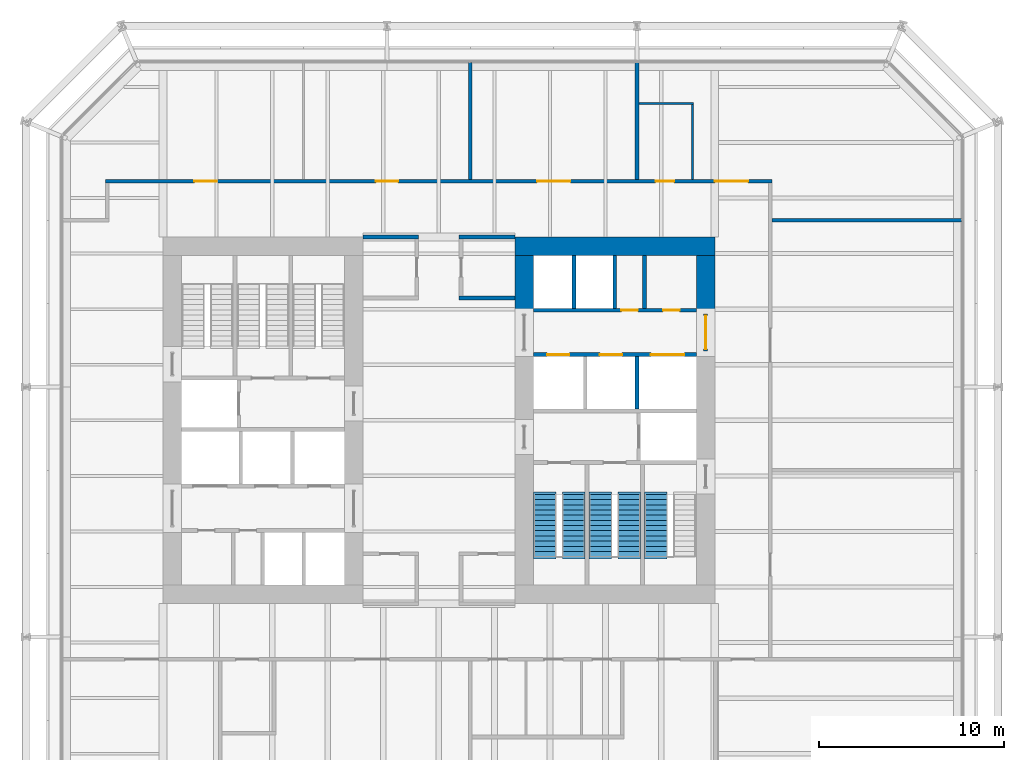
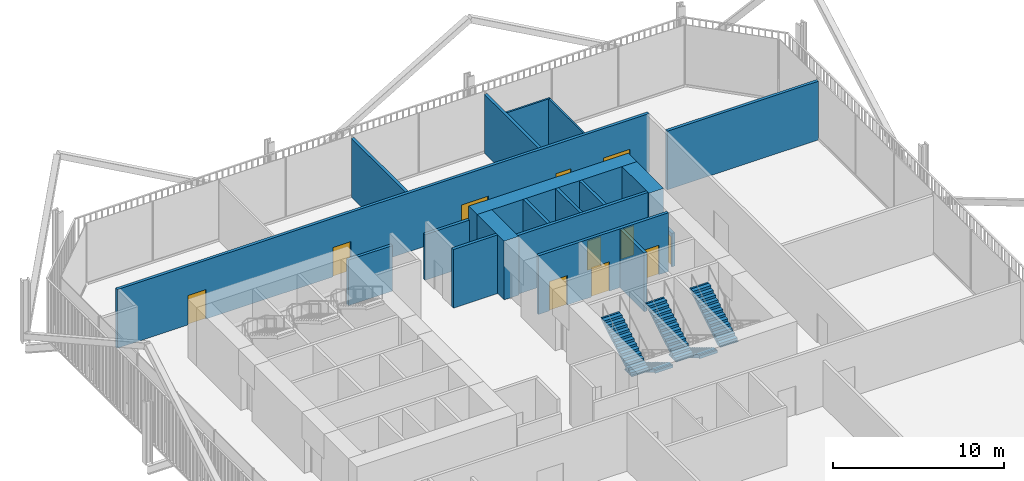
# One storey, part 19 of 21: 19 walls, 11 doors, 5 stair flights, 11 openings, 3 elements without a shape of their own.
"""IFC4 building model written with IfcOpenShell, lengths in metres."""

from ifc_helpers import new_model, si_unit, direction, frame, frame_2d, origin, place, context, subcontext, project, spatial, polyline, rectangle, outline, extrude, material, layer, layer_set, type_object, element, fill, aggregate, save


model = new_model("IFC4")

# Units and contexts
model_context = context("Model", 3, precision=1e-05, world=origin(), true_north=direction((0.0, 1.0)))
body_context = subcontext(model_context, "Body", "Model", "MODEL_VIEW")
ifc_project = project(units=[si_unit("LENGTHUNIT", "METRE"), si_unit("AREAUNIT", "SQUARE_METRE"), si_unit("VOLUMEUNIT", "CUBIC_METRE"), si_unit("PLANEANGLEUNIT", "RADIAN"), si_unit("MASSUNIT", "GRAM", prefix="KILO")], contexts=[model_context])

# Site, building, storey
site_placement = place(None, origin())
site = spatial("IfcSite", under=ifc_project, at=site_placement, CompositionType="ELEMENT")
building_placement = place(site_placement, origin())
building = spatial("IfcBuilding", under=site, at=building_placement, Name="Millrace Tower", CompositionType="ELEMENT")
storey_placement = place(building_placement, frame((0.0, 0.0, 82.0)))
storey = spatial("IfcBuildingStorey", under=building, at=storey_placement, Name="L18", CompositionType="ELEMENT", Elevation=82.0)

# Walls
ifc_material_1 = material(Name="Concrete C80", Category="concrete")
ifc_layer_1 = layer(ifc_material_1, 1.0)
ifc_layer_set_1 = layer_set([ifc_layer_1], Name="Concrete C80")
wall_type_1 = type_object("IfcWallType", Name="Core wall 1000 Concrete C80", PredefinedType="SHEAR", material=ifc_layer_set_1)
wall_1_placement = place(storey_placement, frame((14.89990234375, 9.39990234375, 0.0), z_axis=(0.0, 0.0, 1.0), x_axis=(-1.0, 0.0, 0.0)))
element("IfcWall", 1, at=wall_1_placement, inside=storey, type_object=wall_type_1, Name="Core wall E L18", PredefinedType="SHEAR", context=body_context, shape_type="SweptSolid", body=[
    extrude(rectangle(XDim=10.7998046875, YDim=1.0, at=frame_2d((5.39990234375, 0.0))), origin(), (0.0, 0.0, 1.0), 4.199951171875),
])
for number, where, z_axis, x_axis, name in (
    (2, (14.39990234375, 8.89990234375, 0.0), (0.0, 0.0, 1.0), (0.0, -1.0, 0.0), "Core wall E L18"),
    (3, (4.60009765625, 8.89990234375, 0.0), (0.0, 0.0, 1.0), (0.0, -1.0, 0.0), "Core wall E L18"),
):
    element("IfcWall", number, at=place(storey_placement, frame(where, z_axis=z_axis, x_axis=x_axis)), inside=storey, type_object=wall_type_1, Name=name, PredefinedType="SHEAR", context=body_context, shape_type="SweptSolid", body=[
        extrude(rectangle(XDim=3.14990234375, YDim=1.0, at=frame_2d((1.574951171875, 0.0))), origin(), (0.0, 0.0, 1.0), 4.199951171875),
    ])
ifc_material_2 = material(Name="Masonry partition, fire-rated", Category="masonry")
ifc_layer_2 = layer(ifc_material_2, 0.199951171875)
ifc_layer_set_2 = layer_set([ifc_layer_2], Name="Masonry partition, fire-rated")
wall_type_2 = type_object("IfcWallType", Name="Corridor wall 200", PredefinedType="PARTITIONING", material=ifc_layer_set_2)
wall_2_placement = place(storey_placement, frame((1.10009765625, 6.60009765625, 0.0), z_axis=(0.0, 0.0, 1.0), x_axis=(1.0, 0.0, 0.0)))
element("IfcWall", 4, at=wall_2_placement, inside=storey, type_object=wall_type_2, Name="Corridor wall L18", PredefinedType="PARTITIONING", context=body_context, shape_type="SweptSolid", body=[
    extrude(rectangle(XDim=3.0, YDim=0.199951171875, at=frame_2d((1.5, 0.0))), origin(), (0.0, 0.0, 1.0), 4.199951171875),
])
for number, where, z_axis, x_axis, name in (
    (5, (-4.10009765625, 9.89990234375, 0.0), (0.0, 0.0, 1.0), (1.0, 0.0, 0.0), "Corridor wall L18"),
    (6, (1.10009765625, 9.89990234375, 0.0), (0.0, 0.0, 1.0), (1.0, 0.0, 0.0), "Corridor wall L18"),
):
    element("IfcWall", number, at=place(storey_placement, frame(where, z_axis=z_axis, x_axis=x_axis)), inside=storey, type_object=wall_type_2, Name=name, PredefinedType="PARTITIONING", context=body_context, shape_type="SweptSolid", body=[
        extrude(rectangle(XDim=3.0, YDim=0.199951171875, at=frame_2d((1.5, 0.0))), origin(), (0.0, 0.0, 1.0), 3.2626953125),
    ])
wall_3_placement = place(storey_placement, frame((18.0, 10.800048828125, 0.0), z_axis=(0.0, 0.0, 1.0), x_axis=(1.0, 0.0, 0.0)))
element("IfcWall", 7, at=wall_3_placement, inside=storey, type_object=wall_type_2, Name="Corridor wall L18", PredefinedType="PARTITIONING", context=body_context, shape_type="SweptSolid", body=[
    extrude(rectangle(XDim=10.22998046875, YDim=0.199951171875, at=frame_2d((5.114990234375, 0.0))), origin(), (0.0, 0.0, 1.0), 4.199951171875),
])

# Wall, openings, doors
wall_4_placement = place(storey_placement, frame((-18.0, 12.89990234375, 0.0), z_axis=(0.0, 0.0, 1.0), x_axis=(1.0, 0.0, 0.0)))
wall_4 = element("IfcWall", 8, at=wall_4_placement, inside=storey, type_object=wall_type_2, Name="Corridor wall L18", PredefinedType="PARTITIONING", context=body_context, shape_type="SweptSolid", body=[
    extrude(rectangle(XDim=36.0, YDim=0.199951171875, at=frame_2d((18.0, 0.0))), origin(), (0.0, 0.0, 1.0), 4.199951171875),
])
opening_1_placement = place(wall_4_placement, frame((4.800048828125, 0.0, 0.0)))
opening_1 = element("IfcOpeningElement", 9, at=opening_1_placement, cuts=wall_4, Name="Opening 18-P010", PredefinedType="OPENING", context=body_context, shape_type="SweptSolid", body=[
    extrude(rectangle(XDim=1.199951171875, YDim=2.10009765625, at=frame_2d((0.60009765625, 1.050048828125))), frame((0.0, 0.10986328125, 0.0), z_axis=(0.0, -1.0, 0.0), x_axis=(1.0, 0.0, 0.0)), (0.0, 0.0, 1.0), 0.219970703125),
])
opening_2_placement = place(wall_4_placement, frame((14.60009765625, 0.0, 0.0)))
opening_2 = element("IfcOpeningElement", 10, at=opening_2_placement, cuts=wall_4, Name="Opening 18-P011", PredefinedType="OPENING", context=body_context, shape_type="SweptSolid", body=[
    extrude(rectangle(XDim=1.199951171875, YDim=2.10009765625, at=frame_2d((0.60009765625, 1.050048828125))), frame((0.0, 0.10986328125, 0.0), z_axis=(0.0, -1.0, 0.0), x_axis=(1.0, 0.0, 0.0)), (0.0, 0.0, 1.0), 0.219970703125),
])
opening_3_placement = place(wall_4_placement, frame((23.300048828125, 0.0, 0.0)))
opening_3 = element("IfcOpeningElement", 11, at=opening_3_placement, cuts=wall_4, Name="Opening 18-P012", PredefinedType="OPENING", context=body_context, shape_type="SweptSolid", body=[
    extrude(rectangle(XDim=1.800048828125, YDim=2.10009765625, at=frame_2d((0.89990234375, 1.050048828125))), frame((0.0, 0.10986328125, 0.0), z_axis=(0.0, -1.0, 0.0), x_axis=(1.0, 0.0, 0.0)), (0.0, 0.0, 1.0), 0.219970703125),
])
opening_4_placement = place(wall_4_placement, frame((32.89990234375, 0.0, 0.0)))
opening_4 = element("IfcOpeningElement", 12, at=opening_4_placement, cuts=wall_4, Name="Opening 18-P013", PredefinedType="OPENING", context=body_context, shape_type="SweptSolid", body=[
    extrude(rectangle(XDim=1.800048828125, YDim=2.10009765625, at=frame_2d((0.89990234375, 1.050048828125))), frame((0.0, 0.10986328125, 0.0), z_axis=(0.0, -1.0, 0.0), x_axis=(1.0, 0.0, 0.0)), (0.0, 0.0, 1.0), 0.219970703125),
])
opening_5_placement = place(wall_4_placement, frame((29.699951171875, 0.0, 0.0)))
opening_5 = element("IfcOpeningElement", 13, at=opening_5_placement, cuts=wall_4, Name="Opening 18-P014", PredefinedType="OPENING", context=body_context, shape_type="SweptSolid", body=[
    extrude(rectangle(XDim=1.0, YDim=2.10009765625, at=frame_2d((0.5, 1.050048828125))), frame((0.0, 0.10986328125, 0.0), z_axis=(0.0, -1.0, 0.0), x_axis=(1.0, 0.0, 0.0)), (0.0, 0.0, 1.0), 0.219970703125),
])
ifc_material_3 = material(Name="Steel door set, fire-rated", Category="steel")
door_type_1 = type_object("IfcDoorType", Name="Corridor door 1000 x 2100", OperationType="SINGLE_SWING_LEFT", PredefinedType="DOOR", material=ifc_material_3)
door_1_placement = place(opening_5_placement, origin())
door_1 = element("IfcDoor", 14, at=door_1_placement, inside=storey, type_object=door_type_1, Name="Door 18-P014", OperationType="SINGLE_SWING_RIGHT", OverallHeight=2.10009765625, OverallWidth=1.0, PredefinedType="DOOR", context=body_context, shape_type="SweptSolid", body=[
    extrude(rectangle(XDim=1.0, YDim=2.10009765625, at=frame_2d((0.5, 1.050048828125))), frame((0.0, 0.02490234375, 0.0), z_axis=(0.0, -1.0, 0.0), x_axis=(1.0, 0.0, 0.0)), (0.0, 0.0, 1.0), 0.050048828125),
])
fill(opening_5, door_1)
ifc_material_4 = material(Name="Steel door set, fire-rated", Category="steel")
door_type_2 = type_object("IfcDoorType", Name="Corridor door 1200 x 2100", OperationType="SINGLE_SWING_LEFT", PredefinedType="DOOR", material=ifc_material_4)
door_2_placement = place(opening_1_placement, origin())
door_2 = element("IfcDoor", 15, at=door_2_placement, inside=storey, type_object=door_type_2, Name="Door 18-P010", OperationType="SINGLE_SWING_LEFT", OverallHeight=2.10009765625, OverallWidth=1.199951171875, PredefinedType="DOOR", context=body_context, shape_type="SweptSolid", body=[
    extrude(rectangle(XDim=1.199951171875, YDim=2.10009765625, at=frame_2d((0.60009765625, 1.050048828125))), frame((0.0, 0.02490234375, 0.0), z_axis=(0.0, -1.0, 0.0), x_axis=(1.0, 0.0, 0.0)), (0.0, 0.0, 1.0), 0.050048828125),
])
fill(opening_1, door_2)
door_3_placement = place(opening_2_placement, origin())
door_3 = element("IfcDoor", 16, at=door_3_placement, inside=storey, type_object=door_type_2, Name="Door 18-P011", OperationType="SINGLE_SWING_LEFT", OverallHeight=2.10009765625, OverallWidth=1.199951171875, PredefinedType="DOOR", context=body_context, shape_type="SweptSolid", body=[
    extrude(rectangle(XDim=1.199951171875, YDim=2.10009765625, at=frame_2d((0.60009765625, 1.050048828125))), frame((0.0, 0.02490234375, 0.0), z_axis=(0.0, -1.0, 0.0), x_axis=(1.0, 0.0, 0.0)), (0.0, 0.0, 1.0), 0.050048828125),
])
fill(opening_2, door_3)
ifc_material_5 = material(Name="Steel door set, fire-rated", Category="steel")
door_type_3 = type_object("IfcDoorType", Name="Corridor door 1800 x 2100", OperationType="DOUBLE_DOOR_SINGLE_SWING", PredefinedType="DOOR", material=ifc_material_5)
door_4_placement = place(opening_4_placement, origin())
door_4 = element("IfcDoor", 17, at=door_4_placement, inside=storey, type_object=door_type_3, Name="Door 18-P013", OperationType="DOUBLE_DOOR_SINGLE_SWING", OverallHeight=2.10009765625, OverallWidth=1.800048828125, PredefinedType="DOOR", context=body_context, shape_type="SweptSolid", body=[
    extrude(rectangle(XDim=1.800048828125, YDim=2.10009765625, at=frame_2d((0.89990234375, 1.050048828125))), frame((0.0, 0.02490234375, 0.0), z_axis=(0.0, -1.0, 0.0), x_axis=(1.0, 0.0, 0.0)), (0.0, 0.0, 1.0), 0.050048828125),
])
fill(opening_4, door_4)
ifc_material_6 = material(Name="Steel door set, fire-rated", Category="steel")
door_type_4 = type_object("IfcDoorType", Name="Data hall door 1800 x 2100", OperationType="DOUBLE_DOOR_SINGLE_SWING", PredefinedType="DOOR", material=ifc_material_6)
door_5_placement = place(opening_3_placement, origin())
door_5 = element("IfcDoor", 18, at=door_5_placement, inside=storey, type_object=door_type_4, Name="Door 18-P012", OperationType="DOUBLE_DOOR_SINGLE_SWING", OverallHeight=2.10009765625, OverallWidth=1.800048828125, PredefinedType="DOOR", context=body_context, shape_type="SweptSolid", body=[
    extrude(rectangle(XDim=1.800048828125, YDim=2.10009765625, at=frame_2d((0.89990234375, 1.050048828125))), frame((0.0, 0.02490234375, 0.0), z_axis=(0.0, -1.0, 0.0), x_axis=(1.0, 0.0, 0.0)), (0.0, 0.0, 1.0), 0.050048828125),
])
fill(opening_3, door_5)

# Walls
for number, where, z_axis, x_axis, name in (
    (19, (10.699951171875, 13.0, 0.0), (0.0, 0.0, 1.0), (0.0, 1.0, 0.0), "Corridor wall L18"),
    (20, (1.699951171875, 13.0, 0.0), (0.0, 0.0, 1.0), (0.0, 1.0, 0.0), "Corridor wall L18"),
):
    element("IfcWall", number, at=place(storey_placement, frame(where, z_axis=z_axis, x_axis=x_axis)), inside=storey, type_object=wall_type_2, Name=name, PredefinedType="PARTITIONING", context=body_context, shape_type="SweptSolid", body=[
        extrude(rectangle(XDim=6.330078125, YDim=0.199951171875, at=frame_2d((3.1650390625, 0.0))), origin(), (0.0, 0.0, 1.0), 4.199951171875),
    ])

# Wall, openings, doors
ifc_material_7 = material(Name="Masonry partition, fire-rated", Category="masonry")
ifc_layer_3 = layer(ifc_material_7, 0.199951171875)
ifc_layer_set_3 = layer_set([ifc_layer_3], Name="Masonry partition, fire-rated")
wall_type_3 = type_object("IfcWallType", Name="Lift shaft wall 200", PredefinedType="PARTITIONING", material=ifc_layer_set_3)
wall_5_placement = place(storey_placement, frame((13.89990234375, 5.949951171875, 0.0), z_axis=(0.0, 0.0, 1.0), x_axis=(-1.0, 0.0, 0.0)))
wall_5 = element("IfcWall", 21, at=wall_5_placement, inside=storey, type_object=wall_type_3, Name="Lift shaft wall E L18", PredefinedType="PARTITIONING", context=body_context, shape_type="SweptSolid", body=[
    extrude(rectangle(XDim=8.7998046875, YDim=0.199951171875, at=frame_2d((4.39990234375, 0.0))), origin(), (0.0, 0.0, 1.0), 4.199951171875),
])
opening_6_placement = place(wall_5_placement, frame((0.8974609375, 0.0, 0.0)))
opening_6 = element("IfcOpeningElement", 22, at=opening_6_placement, cuts=wall_5, Name="Opening 18-C013", PredefinedType="OPENING", context=body_context, shape_type="SweptSolid", body=[
    extrude(rectangle(XDim=0.89990234375, YDim=2.10009765625, at=frame_2d((0.449951171875, 1.050048828125))), frame((0.0, 0.10986328125, 0.0), z_axis=(0.0, -1.0, 0.0), x_axis=(1.0, 0.0, 0.0)), (0.0, 0.0, 1.0), 0.219970703125),
])
opening_7_placement = place(wall_5_placement, frame((3.1474609375, 0.0, 0.0)))
opening_7 = element("IfcOpeningElement", 23, at=opening_7_placement, cuts=wall_5, Name="Opening 18-C014", PredefinedType="OPENING", context=body_context, shape_type="SweptSolid", body=[
    extrude(rectangle(XDim=0.89990234375, YDim=2.10009765625, at=frame_2d((0.449951171875, 1.050048828125))), frame((0.0, 0.10986328125, 0.0), z_axis=(0.0, -1.0, 0.0), x_axis=(1.0, 0.0, 0.0)), (0.0, 0.0, 1.0), 0.219970703125),
])
ifc_material_8 = material(Name="Steel door, fire-rated", Category="steel")
door_type_5 = type_object("IfcDoorType", Name="Service room door 900 x 2100", OperationType="SINGLE_SWING_LEFT", PredefinedType="DOOR", material=ifc_material_8)
door_6_placement = place(opening_6_placement, frame((0.89990234375, 0.0, 0.0), z_axis=(0.0, 0.0, 1.0), x_axis=(-1.0, 0.0, 0.0)))
door_6 = element("IfcDoor", 24, at=door_6_placement, inside=storey, type_object=door_type_5, Name="Service room door 18-C013", OperationType="SINGLE_SWING_RIGHT", OverallHeight=2.10009765625, OverallWidth=0.89990234375, PredefinedType="DOOR", context=body_context, shape_type="SweptSolid", body=[
    extrude(rectangle(XDim=0.89990234375, YDim=2.10009765625, at=frame_2d((0.449951171875, 1.050048828125))), frame((0.0, 0.02490234375, 0.0), z_axis=(0.0, -1.0, 0.0), x_axis=(1.0, 0.0, 0.0)), (0.0, 0.0, 1.0), 0.050048828125),
])
fill(opening_6, door_6)
door_7_placement = place(opening_7_placement, frame((0.89990234375, 0.0, 0.0), z_axis=(0.0, 0.0, 1.0), x_axis=(-1.0, 0.0, 0.0)))
door_7 = element("IfcDoor", 25, at=door_7_placement, inside=storey, type_object=door_type_5, Name="Service room door 18-C014", OperationType="SINGLE_SWING_RIGHT", OverallHeight=2.10009765625, OverallWidth=0.89990234375, PredefinedType="DOOR", context=body_context, shape_type="SweptSolid", body=[
    extrude(rectangle(XDim=0.89990234375, YDim=2.10009765625, at=frame_2d((0.449951171875, 1.050048828125))), frame((0.0, 0.02490234375, 0.0), z_axis=(0.0, -1.0, 0.0), x_axis=(1.0, 0.0, 0.0)), (0.0, 0.0, 1.0), 0.050048828125),
])
fill(opening_7, door_7)

wall_6_placement = place(storey_placement, frame((13.89990234375, 3.550048828125, 0.0), z_axis=(0.0, 0.0, 1.0), x_axis=(-1.0, 0.0, 0.0)))
wall_6 = element("IfcWall", 26, at=wall_6_placement, inside=storey, type_object=wall_type_3, Name="Lift shaft wall E L18", PredefinedType="PARTITIONING", context=body_context, shape_type="SweptSolid", body=[
    extrude(rectangle(XDim=8.7998046875, YDim=0.199951171875, at=frame_2d((4.39990234375, 0.0))), origin(), (0.0, 0.0, 1.0), 4.199951171875),
])
opening_8_placement = place(wall_6_placement, frame((0.64990234375, 0.0, 0.0)))
opening_8 = element("IfcOpeningElement", 27, at=opening_8_placement, cuts=wall_6, Name="Opening 18-LD13", PredefinedType="OPENING", context=body_context, shape_type="SweptSolid", body=[
    extrude(rectangle(XDim=1.800048828125, YDim=2.10009765625, at=frame_2d((0.89990234375, 1.050048828125))), frame((0.0, 0.10986328125, 0.0), z_axis=(0.0, -1.0, 0.0), x_axis=(1.0, 0.0, 0.0)), (0.0, 0.0, 1.0), 0.219970703125),
])
opening_9_placement = place(wall_6_placement, frame((4.0, 0.0, 0.0)))
opening_9 = element("IfcOpeningElement", 28, at=opening_9_placement, cuts=wall_6, Name="Opening 18-LD14", PredefinedType="OPENING", context=body_context, shape_type="SweptSolid", body=[
    extrude(rectangle(XDim=1.199951171875, YDim=2.10009765625, at=frame_2d((0.60009765625, 1.050048828125))), frame((0.0, 0.10986328125, 0.0), z_axis=(0.0, -1.0, 0.0), x_axis=(1.0, 0.0, 0.0)), (0.0, 0.0, 1.0), 0.219970703125),
])
opening_10_placement = place(wall_6_placement, frame((6.85009765625, 0.0, 0.0)))
opening_10 = element("IfcOpeningElement", 29, at=opening_10_placement, cuts=wall_6, Name="Opening 18-LD15", PredefinedType="OPENING", context=body_context, shape_type="SweptSolid", body=[
    extrude(rectangle(XDim=1.199951171875, YDim=2.10009765625, at=frame_2d((0.60009765625, 1.050048828125))), frame((0.0, 0.10986328125, 0.0), z_axis=(0.0, -1.0, 0.0), x_axis=(1.0, 0.0, 0.0)), (0.0, 0.0, 1.0), 0.219970703125),
])
ifc_material_9 = material(Name="Stainless steel, fire-rated", Category="steel")
door_type_6 = type_object("IfcDoorType", Name="Lift landing door 1200 x 2100", OperationType="DOUBLE_DOOR_SLIDING", PredefinedType="DOOR", material=ifc_material_9)
door_8_placement = place(opening_9_placement, origin())
door_8 = element("IfcDoor", 30, at=door_8_placement, inside=storey, type_object=door_type_6, Name="Lift landing door LF14 L18", OperationType="DOUBLE_DOOR_SLIDING", OverallHeight=2.10009765625, OverallWidth=1.199951171875, PredefinedType="DOOR", context=body_context, shape_type="SweptSolid", body=[
    extrude(rectangle(XDim=1.199951171875, YDim=2.10009765625, at=frame_2d((0.60009765625, 1.050048828125))), frame((0.0, 0.02490234375, 0.0), z_axis=(0.0, -1.0, 0.0), x_axis=(1.0, 0.0, 0.0)), (0.0, 0.0, 1.0), 0.050048828125),
])
fill(opening_9, door_8)
door_9_placement = place(opening_10_placement, origin())
door_9 = element("IfcDoor", 31, at=door_9_placement, inside=storey, type_object=door_type_6, Name="Lift landing door LF15 L18", OperationType="DOUBLE_DOOR_SLIDING", OverallHeight=2.10009765625, OverallWidth=1.199951171875, PredefinedType="DOOR", context=body_context, shape_type="SweptSolid", body=[
    extrude(rectangle(XDim=1.199951171875, YDim=2.10009765625, at=frame_2d((0.60009765625, 1.050048828125))), frame((0.0, 0.02490234375, 0.0), z_axis=(0.0, -1.0, 0.0), x_axis=(1.0, 0.0, 0.0)), (0.0, 0.0, 1.0), 0.050048828125),
])
fill(opening_10, door_9)
ifc_material_10 = material(Name="Stainless steel, fire-rated", Category="steel")
door_type_7 = type_object("IfcDoorType", Name="Lift landing door 1800 x 2100", OperationType="DOUBLE_DOOR_SLIDING", PredefinedType="DOOR", material=ifc_material_10)
door_10_placement = place(opening_8_placement, origin())
door_10 = element("IfcDoor", 32, at=door_10_placement, inside=storey, type_object=door_type_7, Name="Lift landing door LF13 L18", OperationType="DOUBLE_DOOR_SLIDING", OverallHeight=2.10009765625, OverallWidth=1.800048828125, PredefinedType="DOOR", context=body_context, shape_type="SweptSolid", body=[
    extrude(rectangle(XDim=1.800048828125, YDim=2.10009765625, at=frame_2d((0.89990234375, 1.050048828125))), frame((0.0, 0.02490234375, 0.0), z_axis=(0.0, -1.0, 0.0), x_axis=(1.0, 0.0, 0.0)), (0.0, 0.0, 1.0), 0.050048828125),
])
fill(opening_8, door_10)

# Walls
for number, where, z_axis, x_axis, name in (
    (33, (9.5, 8.89990234375, 0.0), (0.0, 0.0, 1.0), (0.0, -1.0, 0.0), "Lift shaft wall E L18"),
    (34, (7.300048828125, 8.89990234375, 0.0), (0.0, 0.0, 1.0), (0.0, -1.0, 0.0), "Lift shaft wall E L18"),
    (35, (10.699951171875, 3.449951171875, 0.0), (0.0, 0.0, 1.0), (0.0, -1.0, 0.0), "Lift shaft wall E L18"),
):
    element("IfcWall", number, at=place(storey_placement, frame(where, z_axis=z_axis, x_axis=x_axis)), inside=storey, type_object=wall_type_3, Name=name, PredefinedType="PARTITIONING", context=body_context, shape_type="SweptSolid", body=[
        extrude(rectangle(XDim=2.849853515625, YDim=0.199951171875, at=frame_2d((1.4248046875, 0.0))), origin(), (0.0, 0.0, 1.0), 4.199951171875),
    ])

# Wall, opening, door
ifc_material_11 = material(Name="Masonry partition, fire-rated", Category="masonry")
ifc_layer_4 = layer(ifc_material_11, 0.199951171875)
ifc_layer_set_4 = layer_set([ifc_layer_4], Name="Masonry partition, fire-rated")
wall_type_4 = type_object("IfcWallType", Name="Lobby wall 200", PredefinedType="PARTITIONING", material=ifc_layer_set_4)
wall_7_placement = place(storey_placement, frame((14.39990234375, 5.75, 0.0), z_axis=(0.0, 0.0, 1.0), x_axis=(0.0, -1.0, 0.0)))
wall_7 = element("IfcWall", 36, at=wall_7_placement, inside=storey, type_object=wall_type_4, Name="Lobby wall E L18", PredefinedType="PARTITIONING", context=body_context, shape_type="SweptSolid", body=[
    extrude(rectangle(XDim=2.0, YDim=0.199951171875, at=frame_2d((1.0, 0.0))), origin(), (0.0, 0.0, 1.0), 2.39990234375),
])
opening_11_placement = place(wall_7_placement, frame((0.10009765625, 0.0, 0.0)))
opening_11 = element("IfcOpeningElement", 37, at=opening_11_placement, cuts=wall_7, Name="Opening 18-C009", PredefinedType="OPENING", context=body_context, shape_type="SweptSolid", body=[
    extrude(rectangle(XDim=1.800048828125, YDim=2.10009765625, at=frame_2d((0.89990234375, 1.050048828125))), frame((0.0, 0.10986328125, 0.0), z_axis=(0.0, -1.0, 0.0), x_axis=(1.0, 0.0, 0.0)), (0.0, 0.0, 1.0), 0.219970703125),
])
ifc_material_12 = material(Name="Steel door, fire-rated", Category="steel")
door_type_8 = type_object("IfcDoorType", Name="Lobby door 1800 x 2100", OperationType="DOUBLE_DOOR_SINGLE_SWING", PredefinedType="DOOR", material=ifc_material_12)
door_11_placement = place(opening_11_placement, origin())
door_11 = element("IfcDoor", 38, at=door_11_placement, inside=storey, type_object=door_type_8, Name="Lobby door 18-C009", OperationType="DOUBLE_DOOR_SINGLE_SWING", OverallHeight=2.10009765625, OverallWidth=1.800048828125, PredefinedType="DOOR", context=body_context, shape_type="SweptSolid", body=[
    extrude(rectangle(XDim=1.800048828125, YDim=2.10009765625, at=frame_2d((0.89990234375, 1.050048828125))), frame((0.0, 0.02490234375, 0.0), z_axis=(0.0, -1.0, 0.0), x_axis=(1.0, 0.0, 0.0)), (0.0, 0.0, 1.0), 0.050048828125),
])
fill(opening_11, door_11)

# Walls
ifc_material_13 = material(Name="Gypsum board partition")
ifc_layer_5 = layer(ifc_material_13, 0.1201171875)
ifc_layer_set_5 = layer_set([ifc_layer_5], Name="Gypsum board partition")
wall_type_5 = type_object("IfcWallType", Name="Partition wall 120", PredefinedType="PARTITIONING", material=ifc_layer_set_5)
wall_8_placement = place(storey_placement, frame((10.800048828125, 17.10009765625, 0.0), z_axis=(0.0, 0.0, 1.0), x_axis=(1.0, 0.0, 0.0)))
element("IfcWall", 39, at=wall_8_placement, inside=storey, type_object=wall_type_5, Name="Partition wall L18", PredefinedType="PARTITIONING", context=body_context, shape_type="SweptSolid", body=[
    extrude(rectangle(XDim=2.9599609375, YDim=0.1201171875, at=frame_2d((1.47998046875, 0.0))), origin(), (0.0, 0.0, 1.0), 4.199951171875),
])
wall_9_placement = place(storey_placement, frame((13.699951171875, 13.0, 0.0), z_axis=(0.0, 0.0, 1.0), x_axis=(0.0, 1.0, 0.0)))
element("IfcWall", 40, at=wall_9_placement, inside=storey, type_object=wall_type_5, Name="Partition wall L18", PredefinedType="PARTITIONING", context=body_context, shape_type="SweptSolid", body=[
    extrude(rectangle(XDim=4.0400390625, YDim=0.1201171875, at=frame_2d((2.02001953125, 0.0))), origin(), (0.0, 0.0, 1.0), 4.199951171875),
])
ifc_material_14 = material(Name="Masonry partition, fire-rated", Category="masonry")
ifc_layer_6 = layer(ifc_material_14, 0.199951171875)
ifc_layer_set_6 = layer_set([ifc_layer_6], Name="Masonry partition, fire-rated")
wall_type_6 = type_object("IfcWallType", Name="Room partition 200", PredefinedType="PARTITIONING", material=ifc_layer_set_6)
wall_10_placement = place(storey_placement, frame((11.10498046875, 8.89990234375, 0.0), z_axis=(0.0, 0.0, 1.0), x_axis=(0.0, -1.0, 0.0)))
element("IfcWall", 41, at=wall_10_placement, inside=storey, type_object=wall_type_6, Name="Room partition E L18", PredefinedType="PARTITIONING", context=body_context, shape_type="SweptSolid", body=[
    extrude(rectangle(XDim=2.849853515625, YDim=0.199951171875, at=frame_2d((1.4248046875, 0.0))), origin(), (0.0, 0.0, 1.0), 4.199951171875),
])

# Stair, stair flight
ifc_material_15 = material(Name="Concrete C35", Category="concrete")
stair_type = type_object("IfcStairType", Name="Exit stair", PredefinedType="HALF_TURN_STAIR", material=ifc_material_15)
placement = place(storey_placement, origin())
stair_1 = element("IfcStair", 42, at=placement, inside=storey, type_object=stair_type, Name="Stair 1 E L18", PredefinedType="HALF_TURN_STAIR")
ifc_material_16 = material(Name="Concrete C35", Category="concrete")
stair_flight_type = type_object("IfcStairFlightType", Name="Exit stair flight", PredefinedType="STRAIGHT", material=ifc_material_16)
stair_flight_1_placement = place(storey_placement, frame((11.7099609375, -7.360107421875, 2.199951171875), z_axis=(0.0, 0.0, 1.0), x_axis=(0.0, 1.0, 0.0)))
stair_flight_1 = element("IfcStairFlight", 43, at=stair_flight_1_placement, type_object=stair_flight_type, Name="ST12 flight 2", NumberOfRisers=13, NumberOfTreads=12, PredefinedType="STRAIGHT", RiserHeight=0.169230769, TreadLength=0.28, context=body_context, shape_type="SweptSolid", body=[
    extrude(outline(polyline([(-0.1201171875, -0.0400390625), (-0.1201171875, 0.0), (0.0, 0.0), (0.0, 0.169189453125), (0.280029296875, 0.169189453125), (0.280029296875, 0.33837890625), (0.56005859375, 0.33837890625), (0.56005859375, 0.5078125), (0.840087890625, 0.5078125), (0.840087890625, 0.677001953125), (1.1201171875, 0.677001953125), (1.1201171875, 0.84619140625), (1.39990234375, 0.84619140625), (1.39990234375, 1.015380859375), (1.679931640625, 1.015380859375), (1.679931640625, 1.1845703125), (1.9599609375, 1.1845703125), (1.9599609375, 1.353759765625), (2.239990234375, 1.353759765625), (2.239990234375, 1.523193359375), (2.52001953125, 1.523193359375), (2.52001953125, 1.6923828125), (2.800048828125, 1.6923828125), (2.800048828125, 1.861572265625), (3.080078125, 1.861572265625), (3.080078125, 2.03076171875), (3.360107421875, 2.03076171875), (3.360107421875, 2.05078125), (3.47998046875, 2.05078125), (3.47998046875, 1.855712890625), (3.360107421875, 1.855712890625), (0.289794921875, 0.0), (0.289794921875, -0.0400390625), (-0.1201171875, -0.0400390625)])), frame((0.0, 0.60986328125, 0.0), z_axis=(0.0, -1.0, 0.0), x_axis=(1.0, 0.0, 0.0)), (0.0, 0.0, 1.0), 1.219970703125),
])
aggregate(stair_1, [stair_flight_1])

# Stair, stair flights
stair_2 = element("IfcStair", 44, at=placement, inside=storey, type_object=stair_type, Name="Stair 2 E L18", PredefinedType="HALF_TURN_STAIR")
stair_flight_2_placement = place(storey_placement, frame((10.2900390625, -4.0, 0.0), z_axis=(0.0, 0.0, 1.0), x_axis=(0.0, -1.0, 0.0)))
stair_flight_2 = element("IfcStairFlight", 45, at=stair_flight_2_placement, type_object=stair_flight_type, Name="ST12 flight 1", NumberOfRisers=13, NumberOfTreads=12, PredefinedType="STRAIGHT", RiserHeight=0.169230769, TreadLength=0.28, context=body_context, shape_type="SweptSolid", body=[
    extrude(outline(polyline([(-0.1201171875, -0.0400390625), (-0.1201171875, 0.0), (0.0, 0.0), (0.0, 0.169189453125), (0.280029296875, 0.169189453125), (0.280029296875, 0.33837890625), (0.56005859375, 0.33837890625), (0.56005859375, 0.5078125), (0.840087890625, 0.5078125), (0.840087890625, 0.677001953125), (1.1201171875, 0.677001953125), (1.1201171875, 0.84619140625), (1.39990234375, 0.84619140625), (1.39990234375, 1.015380859375), (1.679931640625, 1.015380859375), (1.679931640625, 1.1845703125), (1.9599609375, 1.1845703125), (1.9599609375, 1.353759765625), (2.239990234375, 1.353759765625), (2.239990234375, 1.523193359375), (2.52001953125, 1.523193359375), (2.52001953125, 1.6923828125), (2.800048828125, 1.6923828125), (2.800048828125, 1.861572265625), (3.080078125, 1.861572265625), (3.080078125, 2.03076171875), (3.360107421875, 2.03076171875), (3.360107421875, 2.05078125), (3.47998046875, 2.05078125), (3.47998046875, 1.855712890625), (3.360107421875, 1.855712890625), (0.289794921875, 0.0), (0.289794921875, -0.0400390625), (-0.1201171875, -0.0400390625)])), frame((0.0, 0.60986328125, 0.0), z_axis=(0.0, -1.0, 0.0), x_axis=(1.0, 0.0, 0.0)), (0.0, 0.0, 1.0), 1.219970703125),
])
stair_flight_3_placement = place(storey_placement, frame((8.7099609375, -7.360107421875, 2.199951171875), z_axis=(0.0, 0.0, 1.0), x_axis=(0.0, 1.0, 0.0)))
stair_flight_3 = element("IfcStairFlight", 46, at=stair_flight_3_placement, type_object=stair_flight_type, Name="ST12 flight 2", NumberOfRisers=13, NumberOfTreads=12, PredefinedType="STRAIGHT", RiserHeight=0.169230769, TreadLength=0.28, context=body_context, shape_type="SweptSolid", body=[
    extrude(outline(polyline([(-0.1201171875, -0.0400390625), (-0.1201171875, 0.0), (0.0, 0.0), (0.0, 0.169189453125), (0.280029296875, 0.169189453125), (0.280029296875, 0.33837890625), (0.56005859375, 0.33837890625), (0.56005859375, 0.5078125), (0.840087890625, 0.5078125), (0.840087890625, 0.677001953125), (1.1201171875, 0.677001953125), (1.1201171875, 0.84619140625), (1.39990234375, 0.84619140625), (1.39990234375, 1.015380859375), (1.679931640625, 1.015380859375), (1.679931640625, 1.1845703125), (1.9599609375, 1.1845703125), (1.9599609375, 1.353759765625), (2.239990234375, 1.353759765625), (2.239990234375, 1.523193359375), (2.52001953125, 1.523193359375), (2.52001953125, 1.6923828125), (2.800048828125, 1.6923828125), (2.800048828125, 1.861572265625), (3.080078125, 1.861572265625), (3.080078125, 2.03076171875), (3.360107421875, 2.03076171875), (3.360107421875, 2.05078125), (3.47998046875, 2.05078125), (3.47998046875, 1.855712890625), (3.360107421875, 1.855712890625), (0.289794921875, 0.0), (0.289794921875, -0.0400390625), (-0.1201171875, -0.0400390625)])), frame((0.0, 0.60986328125, 0.0), z_axis=(0.0, -1.0, 0.0), x_axis=(1.0, 0.0, 0.0)), (0.0, 0.0, 1.0), 1.219970703125),
])
aggregate(stair_2, [stair_flight_2, stair_flight_3])

stair_3 = element("IfcStair", 47, at=placement, inside=storey, type_object=stair_type, Name="Stair 3 E L18", PredefinedType="HALF_TURN_STAIR")
stair_flight_4_placement = place(storey_placement, frame((7.2900390625, -4.0, 0.0), z_axis=(0.0, 0.0, 1.0), x_axis=(0.0, -1.0, 0.0)))
stair_flight_4 = element("IfcStairFlight", 48, at=stair_flight_4_placement, type_object=stair_flight_type, Name="ST12 flight 1", NumberOfRisers=13, NumberOfTreads=12, PredefinedType="STRAIGHT", RiserHeight=0.169230769, TreadLength=0.28, context=body_context, shape_type="SweptSolid", body=[
    extrude(outline(polyline([(-0.1201171875, -0.0400390625), (-0.1201171875, 0.0), (0.0, 0.0), (0.0, 0.169189453125), (0.280029296875, 0.169189453125), (0.280029296875, 0.33837890625), (0.56005859375, 0.33837890625), (0.56005859375, 0.5078125), (0.840087890625, 0.5078125), (0.840087890625, 0.677001953125), (1.1201171875, 0.677001953125), (1.1201171875, 0.84619140625), (1.39990234375, 0.84619140625), (1.39990234375, 1.015380859375), (1.679931640625, 1.015380859375), (1.679931640625, 1.1845703125), (1.9599609375, 1.1845703125), (1.9599609375, 1.353759765625), (2.239990234375, 1.353759765625), (2.239990234375, 1.523193359375), (2.52001953125, 1.523193359375), (2.52001953125, 1.6923828125), (2.800048828125, 1.6923828125), (2.800048828125, 1.861572265625), (3.080078125, 1.861572265625), (3.080078125, 2.03076171875), (3.360107421875, 2.03076171875), (3.360107421875, 2.05078125), (3.47998046875, 2.05078125), (3.47998046875, 1.855712890625), (3.360107421875, 1.855712890625), (0.289794921875, 0.0), (0.289794921875, -0.0400390625), (-0.1201171875, -0.0400390625)])), frame((0.0, 0.60986328125, 0.0), z_axis=(0.0, -1.0, 0.0), x_axis=(1.0, 0.0, 0.0)), (0.0, 0.0, 1.0), 1.219970703125),
])
stair_flight_5_placement = place(storey_placement, frame((5.7099609375, -7.360107421875, 2.199951171875), z_axis=(0.0, 0.0, 1.0), x_axis=(0.0, 1.0, 0.0)))
stair_flight_5 = element("IfcStairFlight", 49, at=stair_flight_5_placement, type_object=stair_flight_type, Name="ST12 flight 2", NumberOfRisers=13, NumberOfTreads=12, PredefinedType="STRAIGHT", RiserHeight=0.169230769, TreadLength=0.28, context=body_context, shape_type="SweptSolid", body=[
    extrude(outline(polyline([(-0.1201171875, -0.0400390625), (-0.1201171875, 0.0), (0.0, 0.0), (0.0, 0.169189453125), (0.280029296875, 0.169189453125), (0.280029296875, 0.33837890625), (0.56005859375, 0.33837890625), (0.56005859375, 0.5078125), (0.840087890625, 0.5078125), (0.840087890625, 0.677001953125), (1.1201171875, 0.677001953125), (1.1201171875, 0.84619140625), (1.39990234375, 0.84619140625), (1.39990234375, 1.015380859375), (1.679931640625, 1.015380859375), (1.679931640625, 1.1845703125), (1.9599609375, 1.1845703125), (1.9599609375, 1.353759765625), (2.239990234375, 1.353759765625), (2.239990234375, 1.523193359375), (2.52001953125, 1.523193359375), (2.52001953125, 1.6923828125), (2.800048828125, 1.6923828125), (2.800048828125, 1.861572265625), (3.080078125, 1.861572265625), (3.080078125, 2.03076171875), (3.360107421875, 2.03076171875), (3.360107421875, 2.05078125), (3.47998046875, 2.05078125), (3.47998046875, 1.855712890625), (3.360107421875, 1.855712890625), (0.289794921875, 0.0), (0.289794921875, -0.0400390625), (-0.1201171875, -0.0400390625)])), frame((0.0, 0.60986328125, 0.0), z_axis=(0.0, -1.0, 0.0), x_axis=(1.0, 0.0, 0.0)), (0.0, 0.0, 1.0), 1.219970703125),
])
aggregate(stair_3, [stair_flight_4, stair_flight_5])

save(model, "model.ifc")
